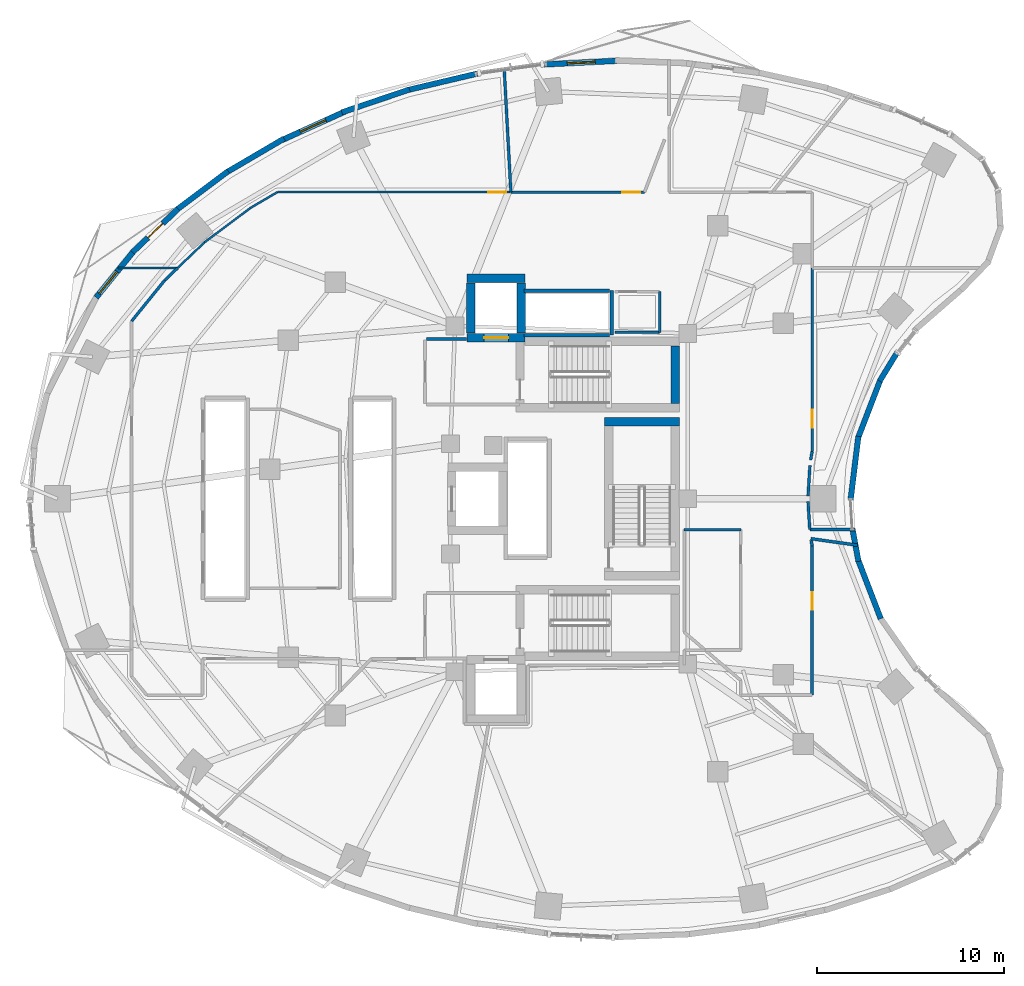
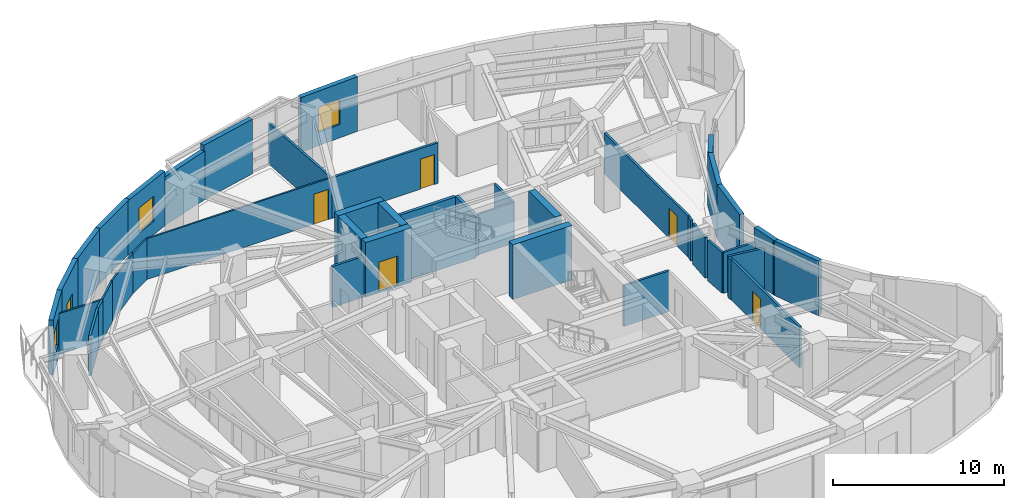
# One storey, part 10 of 14: 43 walls, 6 doors, 3 windows, 9 openings.
"""IFC4 building model written with IfcOpenShell, lengths in metres."""

from ifc_helpers import new_model, si_unit, direction, frame, frame_2d, origin, place, context, subcontext, project, spatial, rectangle, extrude, material, layer, layer_set, type_object, element, fill, save


model = new_model("IFC4")

# Units and contexts
model_context = context("Model", 3, precision=1e-05, world=origin(), true_north=direction((0.0, 1.0)))
body_context = subcontext(model_context, "Body", "Model", "MODEL_VIEW")
ifc_project = project(units=[si_unit("LENGTHUNIT", "METRE"), si_unit("AREAUNIT", "SQUARE_METRE"), si_unit("VOLUMEUNIT", "CUBIC_METRE"), si_unit("PLANEANGLEUNIT", "RADIAN"), si_unit("MASSUNIT", "GRAM", prefix="KILO")], contexts=[model_context])

# Site, building, storey
site_placement = place(None, origin())
site = spatial("IfcSite", under=ifc_project, at=site_placement, CompositionType="ELEMENT")
building_placement = place(site_placement, origin())
building = spatial("IfcBuilding", under=site, at=building_placement, Name="Korentha Bioscience Tower", CompositionType="ELEMENT")
storey_placement = place(building_placement, frame((0.0, 0.0, 46.800048828125)))
storey = spatial("IfcBuildingStorey", under=building, at=storey_placement, Name="L10", CompositionType="ELEMENT", Elevation=46.800048828125)

# Wall, opening, door
ifc_material_1 = material(Name="Double-Stud Acoustic Gypsum", Category="gypsum")
ifc_layer_1 = layer(ifc_material_1, 0.14990234375, Name="Double-Stud Acoustic Gypsum")
ifc_layer_set_1 = layer_set([ifc_layer_1], Name="Double-Stud Acoustic Gypsum (IW-L150)")
wall_type_1 = type_object("IfcWallType", Name="Acoustic Laboratory Partition Wall 150", PredefinedType="PARTITIONING", material=ifc_layer_set_1)
wall_1_placement = place(storey_placement, frame((44.2099609375, 29.529541015625, 0.0), z_axis=(0.0, 0.0, 1.0), x_axis=(0.0, 1.0, 0.0)))
wall_1 = element("IfcWall", 1, at=wall_1_placement, inside=storey, type_object=wall_type_1, Name="L10 Engineered Bio-Foundry Wet Lab 06 Entrance Wall", PredefinedType="PARTITIONING", context=body_context, shape_type="SweptSolid", body=[
    extrude(rectangle(XDim=9.818359375, YDim=0.14990234375, at=frame_2d((4.9091796875, 0.0))), origin(), (0.0, 0.0, 1.0), 2.909912109375),
])
opening_1_placement = place(wall_1_placement, frame((1.27392578125, 0.0, 0.0)))
opening_1 = element("IfcOpeningElement", 2, at=opening_1_placement, cuts=wall_1, Name="Opening ID-10L", PredefinedType="OPENING", context=body_context, shape_type="SweptSolid", body=[
    extrude(rectangle(XDim=0.949951171875, YDim=2.14990234375, at=frame_2d((0.47509765625, 1.074951171875))), frame((0.0, 0.08984375, 0.0), z_axis=(0.0, -1.0, 0.0), x_axis=(1.0, 0.0, 0.0)), (0.0, 0.0, 1.0), 0.1796875),
])
ifc_material_2 = material(Name="Phenolic Laminate Timber Core", Category="wood")
door_type_1 = type_object("IfcDoorType", Name="Laboratory Single Leaf Door 950x2150 Left", OperationType="SINGLE_SWING_LEFT", PredefinedType="DOOR", material=ifc_material_2)
door_1_placement = place(opening_1_placement, origin())
door_1 = element("IfcDoor", 3, at=door_1_placement, inside=storey, type_object=door_type_1, Name="L10 Engineered Bio-Foundry Wet Lab 06 Door", OperationType="SINGLE_SWING_LEFT", OverallHeight=2.14990234375, OverallWidth=0.949951171875, PredefinedType="DOOR", context=body_context, shape_type="SweptSolid", body=[
    extrude(rectangle(XDim=0.949951171875, YDim=2.14990234375, at=frame_2d((0.47509765625, 1.074951171875))), frame((0.0, 0.02490234375, 0.0), z_axis=(0.0, -1.0, 0.0), x_axis=(1.0, 0.0, 0.0)), (0.0, 0.0, 1.0), 0.050048828125),
])
fill(opening_1, door_1)

wall_2_placement = place(storey_placement, frame((35.23779296875, 43.409912109375, 0.0), z_axis=(0.0, 0.0, 1.0), x_axis=(-1.0, 0.0, 0.0)))
wall_2 = element("IfcWall", 4, at=wall_2_placement, inside=storey, type_object=wall_type_1, Name="L10 Optical Metrology Darkroom 09 Entrance Wall", PredefinedType="PARTITIONING", context=body_context, shape_type="SweptSolid", body=[
    extrude(rectangle(XDim=7.15087890625, YDim=0.14990234375, at=frame_2d((3.575439453125, 0.0))), origin(), (0.0, 0.0, 1.0), 2.909912109375),
])
opening_2_placement = place(wall_2_placement, frame((0.239990234375, 0.0, 0.0)))
opening_2 = element("IfcOpeningElement", 5, at=opening_2_placement, cuts=wall_2, Name="Opening ID-10R", PredefinedType="OPENING", context=body_context, shape_type="SweptSolid", body=[
    extrude(rectangle(XDim=0.949951171875, YDim=2.14990234375, at=frame_2d((0.47509765625, 1.074951171875))), frame((0.0, 0.08984375, 0.0), z_axis=(0.0, -1.0, 0.0), x_axis=(1.0, 0.0, 0.0)), (0.0, 0.0, 1.0), 0.1796875),
])
door_type_2 = type_object("IfcDoorType", Name="Laboratory Single Leaf Door 950x2150 Right", OperationType="SINGLE_SWING_RIGHT", PredefinedType="DOOR", material=ifc_material_2)
door_2_placement = place(opening_2_placement, origin())
door_2 = element("IfcDoor", 6, at=door_2_placement, inside=storey, type_object=door_type_2, Name="L10 Optical Metrology Darkroom 09 Door", OperationType="SINGLE_SWING_RIGHT", OverallHeight=2.14990234375, OverallWidth=0.949951171875, PredefinedType="DOOR", context=body_context, shape_type="SweptSolid", body=[
    extrude(rectangle(XDim=0.949951171875, YDim=2.14990234375, at=frame_2d((0.47509765625, 1.074951171875))), frame((0.0, 0.02490234375, 0.0), z_axis=(0.0, -1.0, 0.0), x_axis=(1.0, 0.0, 0.0)), (0.0, 0.0, 1.0), 0.050048828125),
])
fill(opening_2, door_2)

# Walls
wall_3_placement = place(storey_placement, frame((37.360107421875, 25.347900390625, 0.0), z_axis=(0.0, 0.0, 1.0), x_axis=(1.0, 0.0, 0.0)))
element("IfcWall", 7, at=wall_3_placement, inside=storey, type_object=wall_type_1, Name="L10 Interior Partition 037", PredefinedType="PARTITIONING", context=body_context, shape_type="SweptSolid", body=[
    extrude(rectangle(XDim=3.02978515625, YDim=0.14990234375, at=frame_2d((1.514892578125, 0.0))), origin(), (0.0, 0.0, 1.0), 2.909912109375),
])
wall_4_placement = place(storey_placement, frame((46.49609375, 25.35205078125, 0.0), z_axis=(0.0, 0.0, 1.0), x_axis=(-1.0, 0.0, 0.0)))
element("IfcWall", 8, at=wall_4_placement, inside=storey, type_object=wall_type_1, Name="L10 Interior Partition 047", PredefinedType="PARTITIONING", context=body_context, shape_type="SweptSolid", body=[
    extrude(rectangle(XDim=2.4140625, YDim=0.14990234375, at=frame_2d((1.20703125, 0.0))), origin(), (0.0, 0.0, 1.0), 2.909912109375),
])
wall_5_placement = place(storey_placement, frame((44.08203125, 25.35205078125, 0.0), z_axis=(0.0, 0.0, 1.0), x_axis=(-0.061103455021, 0.998131438131, 0.0)))
element("IfcWall", 9, at=wall_5_placement, inside=storey, type_object=wall_type_1, Name="L10 Interior Partition 048", PredefinedType="PARTITIONING", context=body_context, shape_type="SweptSolid", body=[
    extrude(rectangle(XDim=1.502197265625, YDim=0.14990234375, at=frame_2d((0.7509765625, 0.0))), origin(), (0.0, 0.0, 1.0), 2.909912109375),
])
wall_6_placement = place(storey_placement, frame((43.990234375, 27.1484375, 0.0), z_axis=(0.0, 0.0, 1.0), x_axis=(0.060976688407, 0.998139190429, 0.0)))
element("IfcWall", 10, at=wall_6_placement, inside=storey, type_object=wall_type_1, Name="L10 Interior Partition 049", PredefinedType="PARTITIONING", context=body_context, shape_type="SweptSolid", body=[
    extrude(rectangle(XDim=1.637451171875, YDim=0.14990234375, at=frame_2d((0.81884765625, 0.0))), origin(), (0.0, 0.0, 1.0), 2.909912109375),
])
wall_7_placement = place(storey_placement, frame((44.12646484375, 29.077880859375, 0.0), z_axis=(0.0, 0.0, 1.0), x_axis=(0.181936414242, 0.983310297502, 0.0)))
element("IfcWall", 11, at=wall_7_placement, inside=storey, type_object=wall_type_1, Name="L10 Interior Partition 050", PredefinedType="PARTITIONING", context=body_context, shape_type="SweptSolid", body=[
    extrude(rectangle(XDim=0.45751953125, YDim=0.14990234375, at=frame_2d((0.228759765625, 0.0))), origin(), (0.0, 0.0, 1.0), 2.909912109375),
])
wall_8_placement = place(storey_placement, frame((28.0869140625, 43.409912109375, 0.0), z_axis=(0.0, 0.0, 1.0), x_axis=(-0.054075825804, 0.998536832102, 0.0)))
element("IfcWall", 12, at=wall_8_placement, inside=storey, type_object=wall_type_1, Name="L10 Interior Partition 058", PredefinedType="PARTITIONING", context=body_context, shape_type="SweptSolid", body=[
    extrude(rectangle(XDim=6.6728515625, YDim=0.14990234375, at=frame_2d((3.33642578125, 0.0))), origin(), (0.0, 0.0, 1.0), 2.909912109375),
])
wall_9_placement = place(storey_placement, frame((10.2412109375, 39.342041015625, 0.0), z_axis=(0.0, 0.0, 1.0), x_axis=(-0.723783132033, -0.690027519585, 0.0)))
element("IfcWall", 13, at=wall_9_placement, inside=storey, type_object=wall_type_1, Name="L10 Interior Partition 063", PredefinedType="PARTITIONING", context=body_context, shape_type="SweptSolid", body=[
    extrude(rectangle(XDim=0.93310546875, YDim=0.14990234375, at=frame_2d((0.466552734375, 0.0))), origin(), (0.0, 0.0, 1.0), 2.909912109375),
])
wall_10_placement = place(storey_placement, frame((9.565185546875, 38.697265625, 0.0), z_axis=(0.0, 0.0, 1.0), x_axis=(-0.629270515505, -0.777186347227, 0.0)))
element("IfcWall", 14, at=wall_10_placement, inside=storey, type_object=wall_type_1, Name="L10 Interior Partition 064", PredefinedType="PARTITIONING", context=body_context, shape_type="SweptSolid", body=[
    extrude(rectangle(XDim=2.8173828125, YDim=0.14990234375, at=frame_2d((1.40869140625, 0.0))), origin(), (0.0, 0.0, 1.0), 2.909912109375),
])

# Wall, opening, door
ifc_material_3 = material(Name="Fire-Rated Framed Glass", Category="glass")
ifc_layer_2 = layer(ifc_material_3, 0.110107421875, Name="Fire-Rated Framed Glass")
ifc_layer_set_2 = layer_set([ifc_layer_2], Name="Fire-Rated Framed Glass (IW-G110)")
wall_type_2 = type_object("IfcWallType", Name="Demountable Glazed Office Partition 110", PredefinedType="MOVABLE", material=ifc_layer_set_2)
wall_11_placement = place(storey_placement, frame((28.076904296875, 43.409912109375, 0.0), z_axis=(0.0, 0.0, 1.0), x_axis=(-1.0, 0.0, 0.0)))
wall_11 = element("IfcWall", 15, at=wall_11_placement, inside=storey, type_object=wall_type_2, Name="L10 Visiting Faculty Study Office 10 Entrance Wall", PredefinedType="MOVABLE", context=body_context, shape_type="SweptSolid", body=[
    extrude(rectangle(XDim=12.486083984375, YDim=0.110107421875, at=frame_2d((6.2431640625, 0.0))), origin(), (0.0, 0.0, 1.0), 2.909912109375),
])
opening_3_placement = place(wall_11_placement, frame((0.239990234375, 0.0, 0.0)))
opening_3 = element("IfcOpeningElement", 16, at=opening_3_placement, cuts=wall_11, Name="Opening ID-10L", PredefinedType="OPENING", context=body_context, shape_type="SweptSolid", body=[
    extrude(rectangle(XDim=0.949951171875, YDim=2.14990234375, at=frame_2d((0.47509765625, 1.074951171875))), frame((0.0, 0.06982421875, 0.0), z_axis=(0.0, -1.0, 0.0), x_axis=(1.0, 0.0, 0.0)), (0.0, 0.0, 1.0), 0.139892578125),
])
door_3_placement = place(opening_3_placement, origin())
door_3 = element("IfcDoor", 17, at=door_3_placement, inside=storey, type_object=door_type_1, Name="L10 Visiting Faculty Study Office 10 Door", OperationType="SINGLE_SWING_LEFT", OverallHeight=2.14990234375, OverallWidth=0.949951171875, PredefinedType="DOOR", context=body_context, shape_type="SweptSolid", body=[
    extrude(rectangle(XDim=0.949951171875, YDim=2.14990234375, at=frame_2d((0.47509765625, 1.074951171875))), frame((0.0, 0.02490234375, 0.0), z_axis=(0.0, -1.0, 0.0), x_axis=(1.0, 0.0, 0.0)), (0.0, 0.0, 1.0), 0.050048828125),
])
fill(opening_3, door_3)

# Walls
wall_12_placement = place(storey_placement, frame((15.585693359375, 43.40869140625, 0.0), z_axis=(0.0, 0.0, 1.0), x_axis=(-0.862446636904, -0.506148000582, 0.0)))
element("IfcWall", 18, at=wall_12_placement, inside=storey, type_object=wall_type_2, Name="L10 Interior Partition 059", PredefinedType="MOVABLE", context=body_context, shape_type="SweptSolid", body=[
    extrude(rectangle(XDim=1.652099609375, YDim=0.110107421875, at=frame_2d((0.826171875, 0.0))), origin(), (0.0, 0.0, 1.0), 2.909912109375),
])
wall_13_placement = place(storey_placement, frame((14.159912109375, 42.57177734375, 0.0), z_axis=(0.0, 0.0, 1.0), x_axis=(-0.800808090092, -0.598921032227, 0.0)))
element("IfcWall", 19, at=wall_13_placement, inside=storey, type_object=wall_type_2, Name="L10 Interior Partition 060", PredefinedType="MOVABLE", context=body_context, shape_type="SweptSolid", body=[
    extrude(rectangle(XDim=3.078857421875, YDim=0.110107421875, at=frame_2d((1.53955078125, 0.0))), origin(), (0.0, 0.0, 1.0), 2.909912109375),
])
wall_14_placement = place(storey_placement, frame((11.693359375, 40.72705078125, 0.0), z_axis=(0.0, 0.0, 1.0), x_axis=(-0.723636479822, -0.690181313185, 0.0)))
element("IfcWall", 20, at=wall_14_placement, inside=storey, type_object=wall_type_2, Name="L10 Interior Partition 061", PredefinedType="MOVABLE", context=body_context, shape_type="SweptSolid", body=[
    extrude(rectangle(XDim=1.9921875, YDim=0.110107421875, at=frame_2d((0.99609375, 0.0))), origin(), (0.0, 0.0, 1.0), 2.909912109375),
])
wall_15_placement = place(storey_placement, frame((10.251708984375, 39.35205078125, 0.0), z_axis=(0.0, 0.0, 1.0), x_axis=(-1.0, 0.0, 0.0)))
element("IfcWall", 21, at=wall_15_placement, inside=storey, type_object=wall_type_2, Name="L10 Interior Partition 062", PredefinedType="MOVABLE", context=body_context, shape_type="SweptSolid", body=[
    extrude(rectangle(XDim=3.179931640625, YDim=0.110107421875, at=frame_2d((1.58984375, 0.0))), origin(), (0.0, 0.0, 1.0), 2.909912109375),
])
ifc_material_4 = material(Name="Gypsum-Clad Steel Stud", Category="steel")
ifc_layer_3 = layer(ifc_material_4, 0.159912109375, Name="Gypsum-Clad Steel Stud")
ifc_layer_set_3 = layer_set([ifc_layer_3], Name="Gypsum-Clad Steel Stud (IW-C160)")
wall_type_3 = type_object("IfcWallType", Name="Fire-Rated Corridor Partition Wall 160", PredefinedType="PARTITIONING", material=ifc_layer_set_3)
wall_16_placement = place(storey_placement, frame((23.580078125, 35.550048828125, 0.0), z_axis=(0.0, 0.0, 1.0), x_axis=(1.0, 0.0, 0.0)))
element("IfcWall", 22, at=wall_16_placement, inside=storey, type_object=wall_type_3, Name="L10 Firefighting Lobby Return Wall FFLN-N", PredefinedType="PARTITIONING", context=body_context, shape_type="SweptSolid", body=[
    extrude(rectangle(XDim=2.119873046875, YDim=0.159912109375, at=frame_2d((1.06005859375, 0.0))), origin(), (0.0, 0.0, 1.0), 2.909912109375),
])

# Wall, opening, door
wall_17_placement = place(storey_placement, frame((44.2099609375, 16.5, 0.0), z_axis=(0.0, 0.0, 1.0), x_axis=(0.0, 1.0, 0.0)))
wall_17 = element("IfcWall", 23, at=wall_17_placement, inside=storey, type_object=wall_type_3, Name="L10 Instrument Calibration Workshop 05 Entrance Wall", PredefinedType="PARTITIONING", context=body_context, shape_type="SweptSolid", body=[
    extrude(rectangle(XDim=7.970458984375, YDim=0.159912109375, at=frame_2d((3.9853515625, 0.0))), origin(), (0.0, 0.0, 1.0), 2.909912109375),
])
opening_4_placement = place(wall_17_placement, frame((4.55029296875, 0.0, 0.0)))
opening_4 = element("IfcOpeningElement", 24, at=opening_4_placement, cuts=wall_17, Name="Opening ID-10R", PredefinedType="OPENING", context=body_context, shape_type="SweptSolid", body=[
    extrude(rectangle(XDim=0.949951171875, YDim=2.14990234375, at=frame_2d((0.47509765625, 1.074951171875))), frame((0.0, 0.0947265625, 0.0), z_axis=(0.0, -1.0, 0.0), x_axis=(1.0, 0.0, 0.0)), (0.0, 0.0, 1.0), 0.189697265625),
])
door_4_placement = place(opening_4_placement, origin())
door_4 = element("IfcDoor", 25, at=door_4_placement, inside=storey, type_object=door_type_2, Name="L10 Instrument Calibration Workshop 05 Door", OperationType="SINGLE_SWING_RIGHT", OverallHeight=2.14990234375, OverallWidth=0.949951171875, PredefinedType="DOOR", context=body_context, shape_type="SweptSolid", body=[
    extrude(rectangle(XDim=0.949951171875, YDim=2.14990234375, at=frame_2d((0.47509765625, 1.074951171875))), frame((0.0, 0.02490234375, 0.0), z_axis=(0.0, -1.0, 0.0), x_axis=(1.0, 0.0, 0.0)), (0.0, 0.0, 1.0), 0.050048828125),
])
fill(opening_4, door_4)

# Walls
wall_18_placement = place(storey_placement, frame((44.209716796875, 24.47216796875, 0.0), z_axis=(0.0, 0.0, 1.0), x_axis=(-0.181894409505, 0.983318068476, 0.0)))
element("IfcWall", 26, at=wall_18_placement, inside=storey, type_object=wall_type_3, Name="L10 Interior Partition 045", PredefinedType="PARTITIONING", context=body_context, shape_type="SweptSolid", body=[
    extrude(rectangle(XDim=0.31396484375, YDim=0.159912109375, at=frame_2d((0.156982421875, 0.0))), origin(), (0.0, 0.0, 1.0), 2.909912109375),
])
wall_19_placement = place(storey_placement, frame((44.13671875, 24.866943359375, 0.0), z_axis=(0.0, 0.0, 1.0), x_axis=(0.990271563932, -0.139148229124, 0.0)))
element("IfcWall", 27, at=wall_19_placement, inside=storey, type_object=wall_type_3, Name="L10 Interior Partition 046", PredefinedType="PARTITIONING", context=body_context, shape_type="SweptSolid", body=[
    extrude(rectangle(XDim=2.526611328125, YDim=0.159912109375, at=frame_2d((1.26318359375, 0.0))), origin(), (0.0, 0.0, 1.0), 2.909912109375),
])

# Wall, opening, window
ifc_material_5 = material(Name="Honed Limestone Precast Concrete C40", Category="masonry")
ifc_layer_4 = layer(ifc_material_5, 0.300048828125, Name="Honed Limestone Precast Concrete C40")
ifc_layer_set_4 = layer_set([ifc_layer_4], Name="Honed Limestone Precast Concrete C40 (EW-ST300)")
wall_type_4 = type_object("IfcWallType", Name="Honed Limestone Cavity Spandrel Wall 300", PredefinedType="STANDARD", material=ifc_layer_set_4)
wall_20_placement = place(storey_placement, frame((33.8212890625, 50.4423828125, 0.0), z_axis=(0.0, 0.0, 1.0), x_axis=(-0.99873153138, -0.050352042933, 0.0)))
wall_20 = element("IfcWall", 28, at=wall_20_placement, inside=storey, type_object=wall_type_4, Name="L10 Honed Limestone Spandrel Wall 06", PredefinedType="STANDARD", context=body_context, shape_type="SweptSolid", body=[
    extrude(rectangle(XDim=3.93701171875, YDim=0.300048828125, at=frame_2d((1.968505859375, 0.0))), origin(), (0.0, 0.0, 1.0), 3.89990234375),
])
opening_5_placement = place(wall_20_placement, frame((1.218505859375, 0.0, 0.949951171875)))
opening_5 = element("IfcOpeningElement", 29, at=opening_5_placement, cuts=wall_20, Name="Opening WN-02", PredefinedType="OPENING", context=body_context, shape_type="SweptSolid", body=[
    extrude(rectangle(XDim=1.5, YDim=1.800048828125, at=frame_2d((0.75, 0.89990234375))), frame((0.0, 0.1650390625, 0.0), z_axis=(0.0, -1.0, 0.0), x_axis=(1.0, 0.0, 0.0)), (0.0, 0.0, 1.0), 0.329833984375),
])
ifc_material_6 = material(Name="Thermally Broken Aluminium Triple Glazing", Category="aluminium")
window_type = type_object("IfcWindowType", Name="Acoustic Operable Office Window 1500x1800", PartitioningType="DOUBLE_PANEL_VERTICAL", PredefinedType="WINDOW", material=ifc_material_6)
window_1_placement = place(opening_5_placement, origin())
window_1 = element("IfcWindow", 30, at=window_1_placement, inside=storey, type_object=window_type, Name="L10 Facade Window 06", OverallHeight=1.800048828125, OverallWidth=1.5, PartitioningType="DOUBLE_PANEL_VERTICAL", PredefinedType="WINDOW", context=body_context, shape_type="SweptSolid", body=[
    extrude(rectangle(XDim=1.5, YDim=1.800048828125, at=frame_2d((0.75, 0.89990234375))), frame((0.0, 0.030029296875, 0.0), z_axis=(0.0, -1.0, 0.0), x_axis=(1.0, 0.0, 0.0)), (0.0, 0.0, 1.0), 0.06005859375),
])
fill(opening_5, window_1)

wall_21_placement = place(storey_placement, frame((19.19140625, 47.716796875, 0.0), z_axis=(0.0, 0.0, 1.0), x_axis=(-0.910608120407, -0.413270917254, 0.0)))
wall_21 = element("IfcWall", 31, at=wall_21_placement, inside=storey, type_object=wall_type_4, Name="L10 Honed Limestone Spandrel Wall 10", PredefinedType="STANDARD", context=body_context, shape_type="SweptSolid", body=[
    extrude(rectangle(XDim=3.699951171875, YDim=0.300048828125, at=frame_2d((1.85009765625, 0.0))), origin(), (0.0, 0.0, 1.0), 3.89990234375),
])
opening_6_placement = place(wall_21_placement, frame((1.10009765625, 0.0, 0.949951171875)))
opening_6 = element("IfcOpeningElement", 32, at=opening_6_placement, cuts=wall_21, Name="Opening WN-02", PredefinedType="OPENING", context=body_context, shape_type="SweptSolid", body=[
    extrude(rectangle(XDim=1.5, YDim=1.800048828125, at=frame_2d((0.75, 0.89990234375))), frame((0.0, 0.1650390625, 0.0), z_axis=(0.0, -1.0, 0.0), x_axis=(1.0, 0.0, 0.0)), (0.0, 0.0, 1.0), 0.329833984375),
])
window_2_placement = place(opening_6_placement, origin())
window_2 = element("IfcWindow", 33, at=window_2_placement, inside=storey, type_object=window_type, Name="L10 Facade Window 10", OverallHeight=1.800048828125, OverallWidth=1.5, PartitioningType="DOUBLE_PANEL_VERTICAL", PredefinedType="WINDOW", context=body_context, shape_type="SweptSolid", body=[
    extrude(rectangle(XDim=1.5, YDim=1.800048828125, at=frame_2d((0.75, 0.89990234375))), frame((0.0, 0.030029296875, 0.0), z_axis=(0.0, -1.0, 0.0), x_axis=(1.0, 0.0, 0.0)), (0.0, 0.0, 1.0), 0.06005859375),
])
fill(opening_6, window_2)

# Wall, opening, door
wall_22_placement = place(storey_placement, frame((10.27587890625, 42.511962890625, 0.0), z_axis=(0.0, 0.0, 1.0), x_axis=(-0.723678516117, -0.690137236578, 0.0)))
wall_22 = element("IfcWall", 34, at=wall_22_placement, inside=storey, type_object=wall_type_4, Name="L10 Balcony Threshold Wall 02", PredefinedType="STANDARD", context=body_context, shape_type="SweptSolid", body=[
    extrude(rectangle(XDim=3.36279296875, YDim=0.300048828125, at=frame_2d((1.681396484375, 0.0))), origin(), (0.0, 0.0, 1.0), 3.89990234375),
])
opening_7_placement = place(wall_22_placement, frame((1.13134765625, 0.0, 0.0)))
opening_7 = element("IfcOpeningElement", 35, at=opening_7_placement, cuts=wall_22, Name="Opening BD-11R", PredefinedType="OPENING", context=body_context, shape_type="SweptSolid", body=[
    extrude(rectangle(XDim=1.10009765625, YDim=2.14990234375, at=frame_2d((0.550048828125, 1.074951171875))), frame((0.0, 0.1650390625, 0.0), z_axis=(0.0, -1.0, 0.0), x_axis=(1.0, 0.0, 0.0)), (0.0, 0.0, 1.0), 0.329833984375),
])
ifc_material_7 = material(Name="Thermally Broken Glazed Aluminium", Category="aluminium")
door_type_3 = type_object("IfcDoorType", Name="Balcony Terrace Glazed Door 1100x2150 Right", OperationType="SINGLE_SWING_RIGHT", PredefinedType="DOOR", material=ifc_material_7)
door_5_placement = place(opening_7_placement, origin())
door_5 = element("IfcDoor", 36, at=door_5_placement, inside=storey, type_object=door_type_3, Name="L10 Balcony Access Door 02", OperationType="SINGLE_SWING_RIGHT", OverallHeight=2.14990234375, OverallWidth=1.10009765625, PredefinedType="DOOR", context=body_context, shape_type="SweptSolid", body=[
    extrude(rectangle(XDim=1.10009765625, YDim=2.14990234375, at=frame_2d((0.550048828125, 1.074951171875))), frame((0.0, 0.02490234375, 0.0), z_axis=(0.0, -1.0, 0.0), x_axis=(1.0, 0.0, 0.0)), (0.0, 0.0, 1.0), 0.050048828125),
])
fill(opening_7, door_5)

# Wall, opening, window
wall_23_placement = place(storey_placement, frame((7.9375, 40.294189453125, 0.0), z_axis=(0.0, 0.0, 1.0), x_axis=(-0.629295540187, -0.777166084631, 0.0)))
wall_23 = element("IfcWall", 37, at=wall_23_placement, inside=storey, type_object=wall_type_4, Name="L10 Honed Limestone Spandrel Wall 14", PredefinedType="STANDARD", context=body_context, shape_type="SweptSolid", body=[
    extrude(rectangle(XDim=3.24755859375, YDim=0.300048828125, at=frame_2d((1.623779296875, 0.0))), origin(), (0.0, 0.0, 1.0), 3.89990234375),
])
opening_8_placement = place(wall_23_placement, frame((1.4716796875, 0.0, 0.949951171875)))
opening_8 = element("IfcOpeningElement", 38, at=opening_8_placement, cuts=wall_23, Name="Opening WN-02", PredefinedType="OPENING", context=body_context, shape_type="SweptSolid", body=[
    extrude(rectangle(XDim=1.5, YDim=1.800048828125, at=frame_2d((0.75, 0.89990234375))), frame((0.0, 0.1650390625, 0.0), z_axis=(0.0, -1.0, 0.0), x_axis=(1.0, 0.0, 0.0)), (0.0, 0.0, 1.0), 0.329833984375),
])
window_3_placement = place(opening_8_placement, origin())
window_3 = element("IfcWindow", 39, at=window_3_placement, inside=storey, type_object=window_type, Name="L10 Facade Window 14", OverallHeight=1.800048828125, OverallWidth=1.5, PartitioningType="DOUBLE_PANEL_VERTICAL", PredefinedType="WINDOW", context=body_context, shape_type="SweptSolid", body=[
    extrude(rectangle(XDim=1.5, YDim=1.800048828125, at=frame_2d((0.75, 0.89990234375))), frame((0.0, 0.030029296875, 0.0), z_axis=(0.0, -1.0, 0.0), x_axis=(1.0, 0.0, 0.0)), (0.0, 0.0, 1.0), 0.06005859375),
])
fill(opening_8, window_3)

# Walls
wall_24_placement = place(storey_placement, frame((26.29736328125, 49.7587890625, 0.0), z_axis=(0.0, 0.0, 1.0), x_axis=(-0.973197600754, -0.229970497863, 0.0)))
element("IfcWall", 40, at=wall_24_placement, inside=storey, type_object=wall_type_4, Name="L10 Limestone Perimeter Closure Wall 08", PredefinedType="STANDARD", context=body_context, shape_type="SweptSolid", body=[
    extrude(rectangle(XDim=3.9013671875, YDim=0.300048828125, at=frame_2d((1.95068359375, 0.0))), origin(), (0.0, 0.0, 1.0), 3.89990234375),
])
wall_25_placement = place(storey_placement, frame((22.6669921875, 48.9091796875, 0.0), z_axis=(0.0, 0.0, 1.0), x_axis=(-0.94702579403, -0.321157508773, 0.0)))
element("IfcWall", 41, at=wall_25_placement, inside=storey, type_object=wall_type_4, Name="L10 Limestone Perimeter Closure Wall 09", PredefinedType="STANDARD", context=body_context, shape_type="SweptSolid", body=[
    extrude(rectangle(XDim=3.829833984375, YDim=0.300048828125, at=frame_2d((1.9150390625, 0.0))), origin(), (0.0, 0.0, 1.0), 3.469970703125),
])
wall_26_placement = place(storey_placement, frame((15.95068359375, 46.27783203125, 0.0), z_axis=(0.0, 0.0, 1.0), x_axis=(-0.8624654944, -0.506115867139, 0.0)))
element("IfcWall", 42, at=wall_26_placement, inside=storey, type_object=wall_type_4, Name="L10 Limestone Perimeter Closure Wall 11", PredefinedType="STANDARD", context=body_context, shape_type="SweptSolid", body=[
    extrude(rectangle(XDim=3.63525390625, YDim=0.300048828125, at=frame_2d((1.817626953125, 0.0))), origin(), (0.0, 0.0, 1.0), 3.89990234375),
])
wall_27_placement = place(storey_placement, frame((12.96142578125, 44.53515625, 0.0), z_axis=(0.0, 0.0, 1.0), x_axis=(-0.800823020995, -0.598901067827, 0.0)))
element("IfcWall", 43, at=wall_27_placement, inside=storey, type_object=wall_type_4, Name="L10 Limestone Perimeter Closure Wall 12", PredefinedType="STANDARD", context=body_context, shape_type="SweptSolid", body=[
    extrude(rectangle(XDim=3.520751953125, YDim=0.300048828125, at=frame_2d((1.76025390625, 0.0))), origin(), (0.0, 0.0, 1.0), 3.89990234375),
])
wall_28_placement = place(storey_placement, frame((47.8837890625, 20.577392578125, 0.0), z_axis=(0.0, 0.0, 1.0), x_axis=(-0.358344570513, 0.933589400531, 0.0)))
element("IfcWall", 44, at=wall_28_placement, inside=storey, type_object=wall_type_4, Name="L10 Limestone Perimeter Closure Wall 46", PredefinedType="STANDARD", context=body_context, shape_type="SweptSolid", body=[
    extrude(rectangle(XDim=3.4296875, YDim=0.300048828125, at=frame_2d((1.71484375, 0.0))), origin(), (0.0, 0.0, 1.0), 3.89990234375),
])
wall_29_placement = place(storey_placement, frame((46.691162109375, 23.650390625, 0.0), z_axis=(0.0, 0.0, 1.0), x_axis=(-0.182230271073, 0.983255881399, 0.0)))
element("IfcWall", 45, at=wall_29_placement, inside=storey, type_object=wall_type_4, Name="L10 Limestone Perimeter Closure Wall 48", PredefinedType="STANDARD", context=body_context, shape_type="SweptSolid", body=[
    extrude(rectangle(XDim=1.7978515625, YDim=0.300048828125, at=frame_2d((0.89892578125, 0.0))), origin(), (0.0, 0.0, 1.0), 3.89990234375),
])
for number, where, z_axis, x_axis, name in (
    (46, (46.26708984375, 26.937744140625, 0.0), (0.0, 0.0, 1.0), (0.121870386032, 0.992546023622, 0.0), "L10 Limestone Perimeter Closure Wall 50"),
    (47, (46.65478515625, 30.220703125, 0.0), (0.0, 0.0, 1.0), (0.358344570513, 0.933589400531, 0.0), "L10 Limestone Perimeter Closure Wall 52"),
):
    element("IfcWall", number, at=place(storey_placement, frame(where, z_axis=z_axis, x_axis=x_axis)), inside=storey, type_object=wall_type_4, Name=name, PredefinedType="STANDARD", context=body_context, shape_type="SweptSolid", body=[
        extrude(rectangle(XDim=3.4296875, YDim=0.300048828125, at=frame_2d((1.71484375, 0.0))), origin(), (0.0, 0.0, 1.0), 3.89990234375),
    ])
wall_30_placement = place(storey_placement, frame((47.82470703125, 33.302734375, 0.0), z_axis=(0.0, 0.0, 1.0), x_axis=(0.522520662875, 0.852626622191, 0.0)))
element("IfcWall", 48, at=wall_30_placement, inside=storey, type_object=wall_type_4, Name="L10 Limestone Perimeter Closure Wall 54", PredefinedType="STANDARD", context=body_context, shape_type="SweptSolid", body=[
    extrude(rectangle(XDim=1.7978515625, YDim=0.300048828125, at=frame_2d((0.89892578125, 0.0))), origin(), (0.0, 0.0, 1.0), 3.89990234375),
])
ifc_material_8 = material(Name="Autoclaved Aerated Concrete Block C25", Category="concrete")
ifc_layer_5 = layer(ifc_material_8, 0.199951171875, Name="Autoclaved Aerated Concrete Block C25")
ifc_layer_set_5 = layer_set([ifc_layer_5], Name="Autoclaved Aerated Concrete Block C25 (IW-S200)")
wall_type_5 = type_object("IfcWallType", Name="Lift and Riser Shaft Enclosure Wall 200", PredefinedType="PARTITIONING", material=ifc_layer_set_5)
wall_31_placement = place(storey_placement, frame((33.489990234375, 35.760009765625, 0.0), z_axis=(0.0, 0.0, 1.0), x_axis=(0.0, 1.0, 0.0)))
element("IfcWall", 49, at=wall_31_placement, inside=storey, type_object=wall_type_5, Name="L10 Lift Bank OBS Shaft Wall +X", PredefinedType="PARTITIONING", context=body_context, shape_type="SweptSolid", body=[
    extrude(rectangle(XDim=2.3798828125, YDim=0.199951171875, at=frame_2d((1.18994140625, 0.0))), origin(), (0.0, 0.0, 1.0), 2.909912109375),
])
for number, where, z_axis, x_axis, name in (
    (50, (28.800048828125, 35.760009765625, 0.0), (0.0, 0.0, 1.0), (1.0, 0.0, 0.0), "L10 Lift Bank OBS Shaft Wall -Y"),
    (51, (28.800048828125, 38.139892578125, 0.0), (0.0, 0.0, 1.0), (1.0, 0.0, 0.0), "L10 Lift Bank OBS Shaft Wall +Y"),
):
    element("IfcWall", number, at=place(storey_placement, frame(where, z_axis=z_axis, x_axis=x_axis)), inside=storey, type_object=wall_type_5, Name=name, PredefinedType="PARTITIONING", context=body_context, shape_type="SweptSolid", body=[
        extrude(rectangle(XDim=4.570068359375, YDim=0.199951171875, at=frame_2d((2.28515625, 0.0))), origin(), (0.0, 0.0, 1.0), 2.909912109375),
    ])
ifc_material_9 = material(Name="Concrete C80", Category="concrete")
ifc_layer_6 = layer(ifc_material_9, 0.449951171875, Name="Concrete C80")
ifc_layer_set_6 = layer_set([ifc_layer_6], Name="Concrete C80 (CW-C80)")
wall_type_6 = type_object("IfcWallType", Name="Lower Core Shear Wall 450", PredefinedType="SHEAR", material=ifc_layer_set_6)
wall_32_placement = place(storey_placement, frame((36.875, 32.110107421875, 0.0), z_axis=(0.0, 0.0, 1.0), x_axis=(0.0, 1.0, 0.0)))
element("IfcWall", 52, at=wall_32_placement, inside=storey, type_object=wall_type_6, Name="L10 Core Shear Wall ST1-E", PredefinedType="SHEAR", context=body_context, shape_type="SweptSolid", body=[
    extrude(rectangle(XDim=3.079833984375, YDim=0.449951171875, at=frame_2d((1.5400390625, 0.0))), origin(), (0.0, 0.0, 1.0), 3.89990234375),
])
wall_33_placement = place(storey_placement, frame((33.10009765625, 31.125, 0.0), z_axis=(0.0, 0.0, 1.0), x_axis=(1.0, 0.0, 0.0)))
element("IfcWall", 53, at=wall_33_placement, inside=storey, type_object=wall_type_6, Name="L10 Core Shear Wall ST3-N", PredefinedType="SHEAR", context=body_context, shape_type="SweptSolid", body=[
    extrude(rectangle(XDim=4.0, YDim=0.449951171875, at=frame_2d((2.0, 0.0))), origin(), (0.0, 0.0, 1.0), 3.89990234375),
])
wall_34_placement = place(storey_placement, frame((25.75, 38.800048828125, 0.0), z_axis=(0.0, 0.0, 1.0), x_axis=(1.0, 0.0, 0.0)))
element("IfcWall", 54, at=wall_34_placement, inside=storey, type_object=wall_type_6, Name="L10 Core Shear Wall FFL2-N", PredefinedType="SHEAR", context=body_context, shape_type="SweptSolid", body=[
    extrude(rectangle(XDim=3.10009765625, YDim=0.449951171875, at=frame_2d((1.550048828125, 0.0))), origin(), (0.0, 0.0, 1.0), 3.89990234375),
])

# Wall, opening, door
wall_35_placement = place(storey_placement, frame((25.75, 35.6201171875, 0.0), z_axis=(0.0, 0.0, 1.0), x_axis=(1.0, 0.0, 0.0)))
wall_35 = element("IfcWall", 55, at=wall_35_placement, inside=storey, type_object=wall_type_6, Name="L10 Core Shear Wall FFL2-S", PredefinedType="SHEAR", context=body_context, shape_type="SweptSolid", body=[
    extrude(rectangle(XDim=3.10009765625, YDim=0.449951171875, at=frame_2d((1.550048828125, 0.0))), origin(), (0.0, 0.0, 1.0), 3.89990234375),
])
opening_9_placement = place(wall_35_placement, frame((0.89990234375, 0.0, 0.0)))
opening_9 = element("IfcOpeningElement", 56, at=opening_9_placement, cuts=wall_35, Name="Opening LD-13", PredefinedType="OPENING", context=body_context, shape_type="SweptSolid", body=[
    extrude(rectangle(XDim=1.300048828125, YDim=2.199951171875, at=frame_2d((0.64990234375, 1.10009765625))), frame((0.0, 0.23974609375, 0.0), z_axis=(0.0, -1.0, 0.0), x_axis=(1.0, 0.0, 0.0)), (0.0, 0.0, 1.0), 0.479736328125),
])
ifc_material_10 = material(Name="Brushed Stainless Steel 316", Category="steel")
door_type_4 = type_object("IfcDoorType", Name="Service & Firefighting Lift Landing Door 1300x2300", OperationType="DOUBLE_DOOR_SLIDING", PredefinedType="DOOR", material=ifc_material_10)
door_6_placement = place(opening_9_placement, origin())
door_6 = element("IfcDoor", 57, at=door_6_placement, inside=storey, type_object=door_type_4, Name="L10 FFL-2 Sliding Lift Landing Door", OperationType="DOUBLE_DOOR_SLIDING", OverallHeight=2.199951171875, OverallWidth=1.300048828125, PredefinedType="DOOR", context=body_context, shape_type="SweptSolid", body=[
    extrude(rectangle(XDim=1.300048828125, YDim=2.199951171875, at=frame_2d((0.64990234375, 1.10009765625))), frame((0.0, 0.02490234375, 0.0), z_axis=(0.0, -1.0, 0.0), x_axis=(1.0, 0.0, 0.0)), (0.0, 0.0, 1.0), 0.050048828125),
])
fill(opening_9, door_6)

# Walls
for number, where, z_axis, x_axis, name in (
    (58, (25.949951171875, 35.860107421875, 0.0), (0.0, 0.0, 1.0), (0.0, 1.0, 0.0), "L10 Core Shear Wall FFL2-W"),
    (59, (28.64990234375, 35.860107421875, 0.0), (0.0, 0.0, 1.0), (0.0, 1.0, 0.0), "L10 Core Shear Wall FFL2-E"),
):
    element("IfcWall", number, at=place(storey_placement, frame(where, z_axis=z_axis, x_axis=x_axis)), inside=storey, type_object=wall_type_6, Name=name, PredefinedType="SHEAR", context=body_context, shape_type="SweptSolid", body=[
        extrude(rectangle(XDim=2.699951171875, YDim=0.449951171875, at=frame_2d((1.35009765625, 0.0))), origin(), (0.0, 0.0, 1.0), 3.89990234375),
    ])
ifc_material_11 = material(Name="Cement-Board Steel Stud", Category="steel")
ifc_layer_7 = layer(ifc_material_11, 0.1298828125, Name="Cement-Board Steel Stud")
ifc_layer_set_7 = layer_set([ifc_layer_7], Name="Cement-Board Steel Stud (IW-W130)")
wall_type_7 = type_object("IfcWallType", Name="Wet-Area Moisture-Resistant Partition 130", PredefinedType="PARTITIONING", material=ifc_layer_set_7)
wall_36_placement = place(storey_placement, frame((36.050048828125, 35.909912109375, 0.0), z_axis=(0.0, 0.0, 1.0), x_axis=(-1.0, 0.0, 0.0)))
element("IfcWall", 60, at=wall_36_placement, inside=storey, type_object=wall_type_7, Name="L10 Interior Partition 013", PredefinedType="PARTITIONING", context=body_context, shape_type="SweptSolid", body=[
    extrude(rectangle(XDim=2.400146484375, YDim=0.1298828125, at=frame_2d((1.2001953125, 0.0))), origin(), (0.0, 0.0, 1.0), 2.909912109375),
])
wall_37_placement = place(storey_placement, frame((36.050048828125, 38.090087890625, 0.0), z_axis=(0.0, 0.0, 1.0), x_axis=(0.0, -1.0, 0.0)))
element("IfcWall", 61, at=wall_37_placement, inside=storey, type_object=wall_type_7, Name="L10 Interior Partition 014", PredefinedType="PARTITIONING", context=body_context, shape_type="SweptSolid", body=[
    extrude(rectangle(XDim=2.18017578125, YDim=0.1298828125, at=frame_2d((1.090087890625, 0.0))), origin(), (0.0, 0.0, 1.0), 2.909912109375),
])

save(model, "model.ifc")
